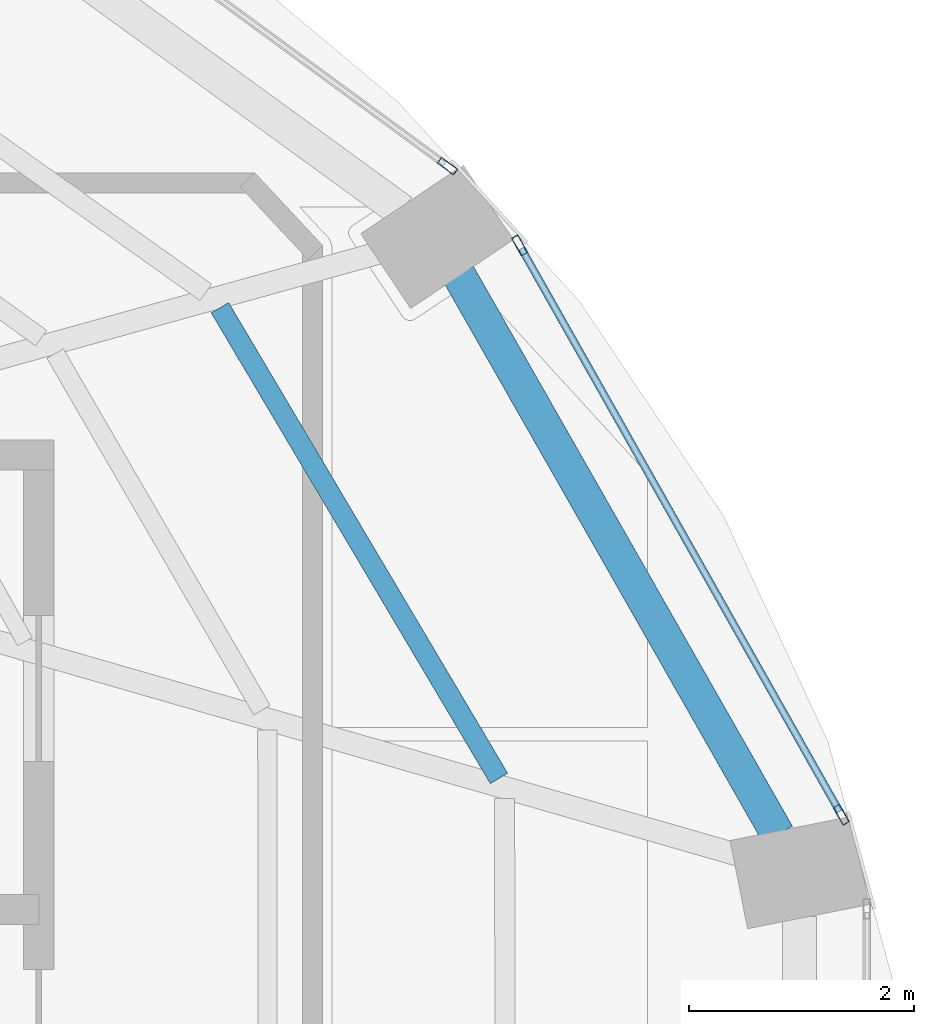
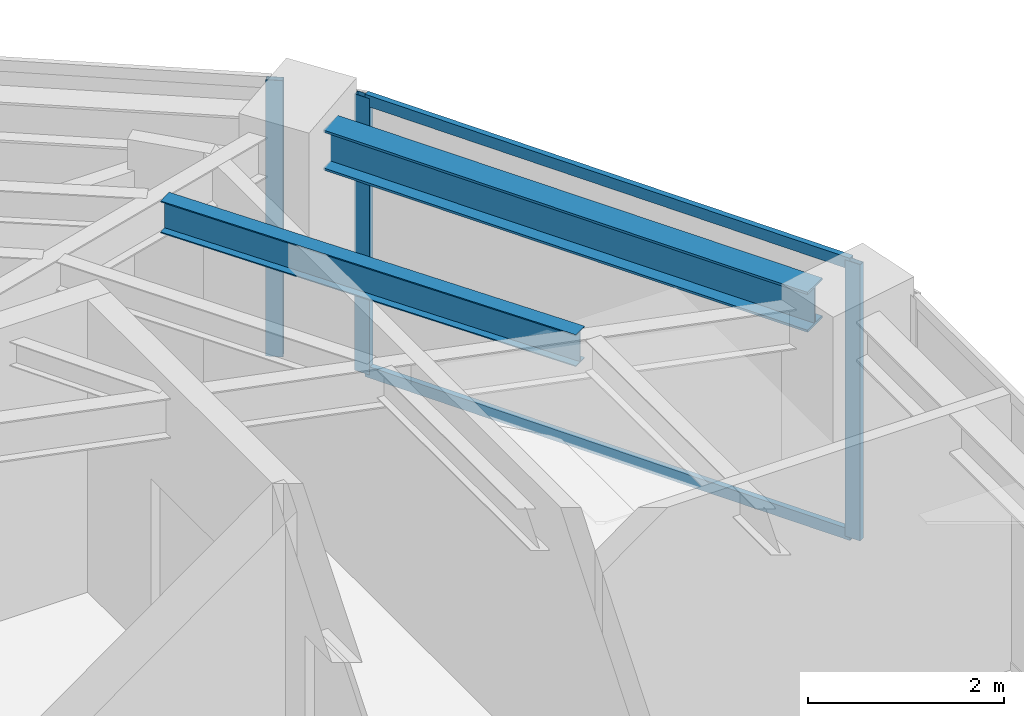
# One storey, part 6 of 12: 5 members, 2 beams, 2 elements without a shape of their own.
"""IFC4 building model written with IfcOpenShell, lengths in metres."""

from ifc_helpers import new_model, si_unit, direction, frame, origin, origin_2d, place, context, subcontext, project, spatial, hollow_rectangle, i_section, extrude, material, layer, layer_set, material_profile, profile_set, type_object, element, aggregate, save


model = new_model("IFC4")

# Units and contexts
model_context = context("Model", 3, precision=1e-05, world=origin(), true_north=direction((0.0, 1.0)))
body_context = subcontext(model_context, "Body", "Model", "MODEL_VIEW")
ifc_project = project(units=[si_unit("LENGTHUNIT", "METRE"), si_unit("AREAUNIT", "SQUARE_METRE"), si_unit("VOLUMEUNIT", "CUBIC_METRE"), si_unit("PLANEANGLEUNIT", "RADIAN"), si_unit("MASSUNIT", "GRAM", prefix="KILO")], contexts=[model_context])

# Site, building, storey
site_placement = place(None, origin())
site = spatial("IfcSite", under=ifc_project, at=site_placement, CompositionType="ELEMENT")
building_placement = place(site_placement, origin())
building = spatial("IfcBuilding", under=site, at=building_placement, Name="Lazwardi Medical Tower", CompositionType="ELEMENT")
storey_placement = place(building_placement, frame((0.0, 0.0, 291.50390625)))
storey = spatial("IfcBuildingStorey", under=building, at=storey_placement, Name="L76", CompositionType="ELEMENT", Elevation=291.50390625)

# Beams
ifc_material_1 = material(Name="Steel S355", Category="steel")
ifc_material_profile_1 = material_profile(ifc_material_1, i_section(OverallWidth=0.300048828125, OverallDepth=0.5, WebThickness=0.014404296875, FlangeThickness=0.028076171875, at=origin_2d()), Name="HEB 500")
ifc_profile_set_1 = profile_set([ifc_material_profile_1], Name="Steel S355")
beam_type_1 = type_object("IfcBeamType", Name="BM-RB-Z4", PredefinedType="BEAM", material=ifc_profile_set_1)
beam_1_placement = place(storey_placement, frame((56.991943359375, 32.601806640625, 3.197998046875), z_axis=(-0.495125273299, 0.868821594886, 0.0), x_axis=(-0.868821594886, -0.495125273299, 0.0)))
element("IfcBeam", 1, at=beam_1_placement, inside=storey, type_object=beam_type_1, Name="Ring beam RB-05 B05 L76", PredefinedType="BEAM", context=body_context, shape_type="SweptSolid", body=[
    extrude(i_section(OverallWidth=0.300048828125, OverallDepth=0.5, WebThickness=0.014404296875, FlangeThickness=0.028076171875, at=origin_2d()), origin(), (0.0, 0.0, 1.0), 5.734130859375),
])
ifc_material_profile_2 = material_profile(ifc_material_1, i_section(OverallWidth=0.179931640625, OverallDepth=0.39990234375, WebThickness=0.008544921875, FlangeThickness=0.013427734375, at=origin_2d()), Name="IPE 400")
ifc_profile_set_2 = profile_set([ifc_material_profile_2], Name="Steel S355")
beam_type_2 = type_object("IfcBeamType", Name="BM-SJ-01", PredefinedType="JOIST", material=ifc_profile_set_2)
beam_2_placement = place(storey_placement, frame((54.510986328125, 33.100830078125, 3.248046875), z_axis=(-0.510029083291, 0.860157156685, 0.0), x_axis=(-0.860157156685, -0.510029083291, 0.0)))
element("IfcBeam", 2, at=beam_2_placement, inside=storey, type_object=beam_type_2, Name="Secondary joist SJ-01 R1 B05 L76", PredefinedType="JOIST", context=body_context, shape_type="SweptSolid", body=[
    extrude(i_section(OverallWidth=0.179931640625, OverallDepth=0.39990234375, WebThickness=0.008544921875, FlangeThickness=0.013427734375, at=origin_2d()), origin(), (0.0, 0.0, 1.0), 4.87060546875),
])

# Curtain wall, members
ifc_material_2 = material(Name="Anodised bronze aluminium and solar control glazing", Category="aluminium")
ifc_layer = layer(ifc_material_2, 0.18994140625)
ifc_layer_set = layer_set([ifc_layer], Name="Anodised bronze aluminium and solar control glazing")
curtain_wall_type = type_object("IfcCurtainWallType", Name="CW-SYS-04", PredefinedType="NOTDEFINED", material=ifc_layer_set)
curtain_wall_1_placement = place(storey_placement, origin())
curtain_wall_1 = element("IfcCurtainWall", 3, at=curtain_wall_1_placement, inside=storey, type_object=curtain_wall_type, Name="L76 Unitised bronze curtain wall CW-04", PredefinedType="NOTDEFINED")
ifc_material_3 = material(Name="Anodised bronze aluminium", Category="aluminium")
ifc_material_profile_3 = material_profile(ifc_material_3, hollow_rectangle(XDim=0.06494140625, YDim=0.179931640625, WallThickness=0.00390625, at=origin_2d()), Name="ALU-MULLION 180x65x4")
ifc_profile_set_3 = profile_set([ifc_material_profile_3], Name="Anodised bronze aluminium")
member_type_1 = type_object("IfcMemberType", Name="CW-MUL-03", PredefinedType="MULLION", material=ifc_profile_set_3)
member_1_placement = place(storey_placement, frame((57.557373046875, 32.778076171875, 0.0), z_axis=(0.0, 0.0, 1.0), x_axis=(-0.870651436011, -0.491900474661, 0.0)))
member_1 = element("IfcMember", 4, at=member_1_placement, type_object=member_type_1, Name="CW-04 mullion 1", PredefinedType="MULLION", context=body_context, shape_type="SweptSolid", body=[
    extrude(hollow_rectangle(XDim=0.06494140625, YDim=0.179931640625, WallThickness=0.00390625, at=origin_2d()), origin(), (0.0, 0.0, 1.0), 3.447998046875),
])
member_2_placement = place(storey_placement, frame((54.6943359375, 37.845458984375, 0.0), z_axis=(0.0, 0.0, 1.0), x_axis=(-0.870651436011, -0.491900474661, 0.0)))
member_2 = element("IfcMember", 5, at=member_2_placement, type_object=member_type_1, Name="CW-04 mullion 2", PredefinedType="MULLION", context=body_context, shape_type="SweptSolid", body=[
    extrude(hollow_rectangle(XDim=0.06494140625, YDim=0.179931640625, WallThickness=0.00390625, at=origin_2d()), origin(), (0.0, 0.0, 1.0), 3.447998046875),
])

# Curtain wall, member
curtain_wall_2_placement = place(storey_placement, origin())
curtain_wall_2 = element("IfcCurtainWall", 6, at=curtain_wall_2_placement, inside=storey, type_object=curtain_wall_type, Name="L76 Unitised bronze curtain wall CW-04", PredefinedType="NOTDEFINED")
member_3_placement = place(storey_placement, frame((54.052001953125, 38.551513671875, 0.0), z_axis=(0.0, 0.0, 1.0), x_axis=(-0.591268230971, -0.806474971121, 0.0)))
member_3 = element("IfcMember", 7, at=member_3_placement, type_object=member_type_1, Name="CW-04 mullion 1", PredefinedType="MULLION", context=body_context, shape_type="SweptSolid", body=[
    extrude(hollow_rectangle(XDim=0.06494140625, YDim=0.179931640625, WallThickness=0.00390625, at=origin_2d()), origin(), (0.0, 0.0, 1.0), 3.447998046875),
])
aggregate(curtain_wall_2, [member_3])

# Member
ifc_material_profile_4 = material_profile(ifc_material_3, hollow_rectangle(XDim=0.06494140625, YDim=0.139892578125, WallThickness=0.00341796875, at=origin_2d()), Name="ALU-TRANSOM 140x65x3.5")
ifc_profile_set_4 = profile_set([ifc_material_profile_4], Name="Anodised bronze aluminium")
member_type_2 = type_object("IfcMemberType", Name="CW-TRN-03", PredefinedType="USERDEFINED", material=ifc_profile_set_4)
member_4_placement = place(storey_placement, frame((57.541259765625, 32.806396484375, 0.03271484375), z_axis=(-0.491879719484, 0.87066316194, 0.0), x_axis=(-0.87066316194, -0.491879719484, 0.0)))
member_4 = element("IfcMember", 8, at=member_4_placement, type_object=member_type_2, Name="CW-04 transom 1.1", ObjectType="TRANSOM", PredefinedType="USERDEFINED", context=body_context, shape_type="SweptSolid", body=[
    extrude(hollow_rectangle(XDim=0.06494140625, YDim=0.139892578125, WallThickness=0.00341796875, at=origin_2d()), origin(), (0.0, 0.0, 1.0), 5.755126953125),
])

member_5_placement = place(storey_placement, frame((57.541259765625, 32.806396484375, 3.41552734375), z_axis=(-0.491879719484, 0.87066316194, 0.0), x_axis=(-0.87066316194, -0.491879719484, 0.0)))
member_5 = element("IfcMember", 9, at=member_5_placement, type_object=member_type_2, Name="CW-04 transom 1.2", ObjectType="TRANSOM", PredefinedType="USERDEFINED", context=body_context, shape_type="SweptSolid", body=[
    extrude(hollow_rectangle(XDim=0.06494140625, YDim=0.139892578125, WallThickness=0.00341796875, at=origin_2d()), origin(), (0.0, 0.0, 1.0), 5.755126953125),
])

aggregate(curtain_wall_1, [member_1, member_2, member_4, member_5])

save(model, "model.ifc")
